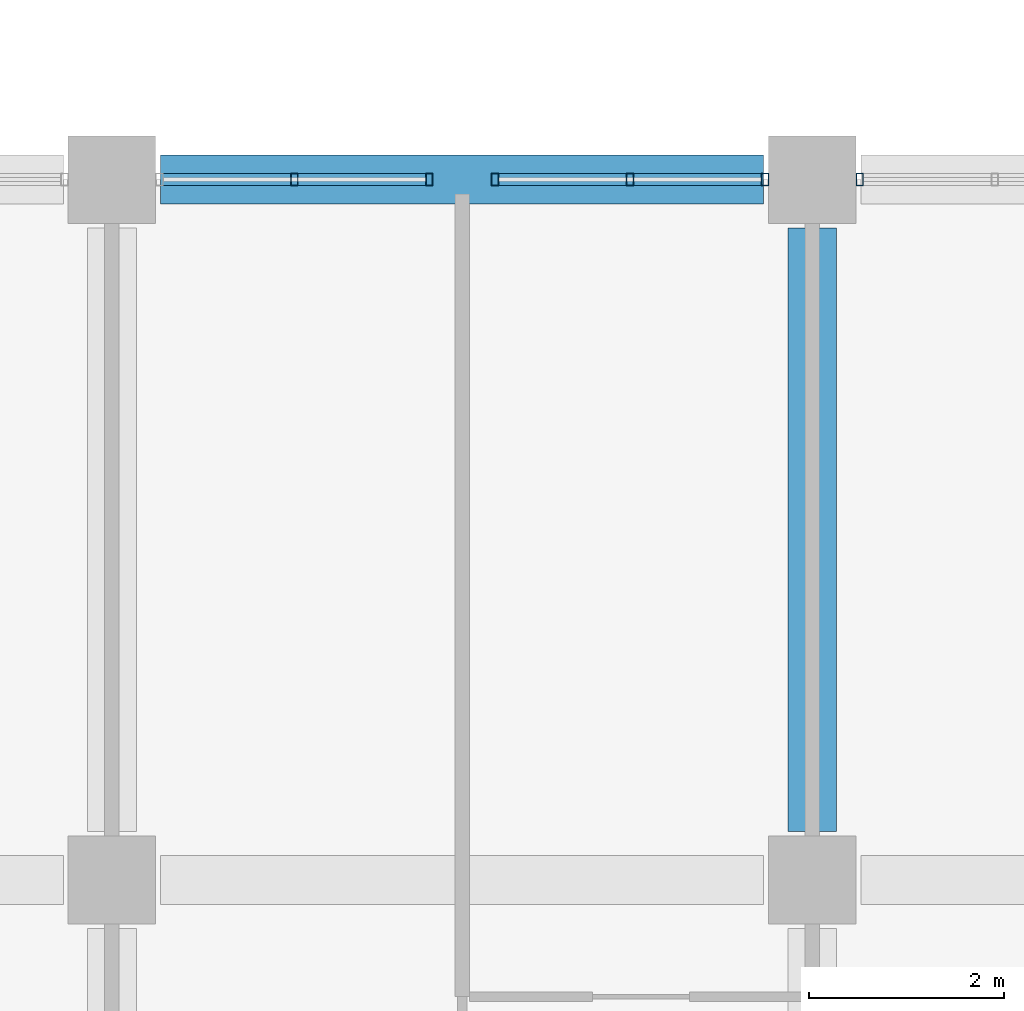
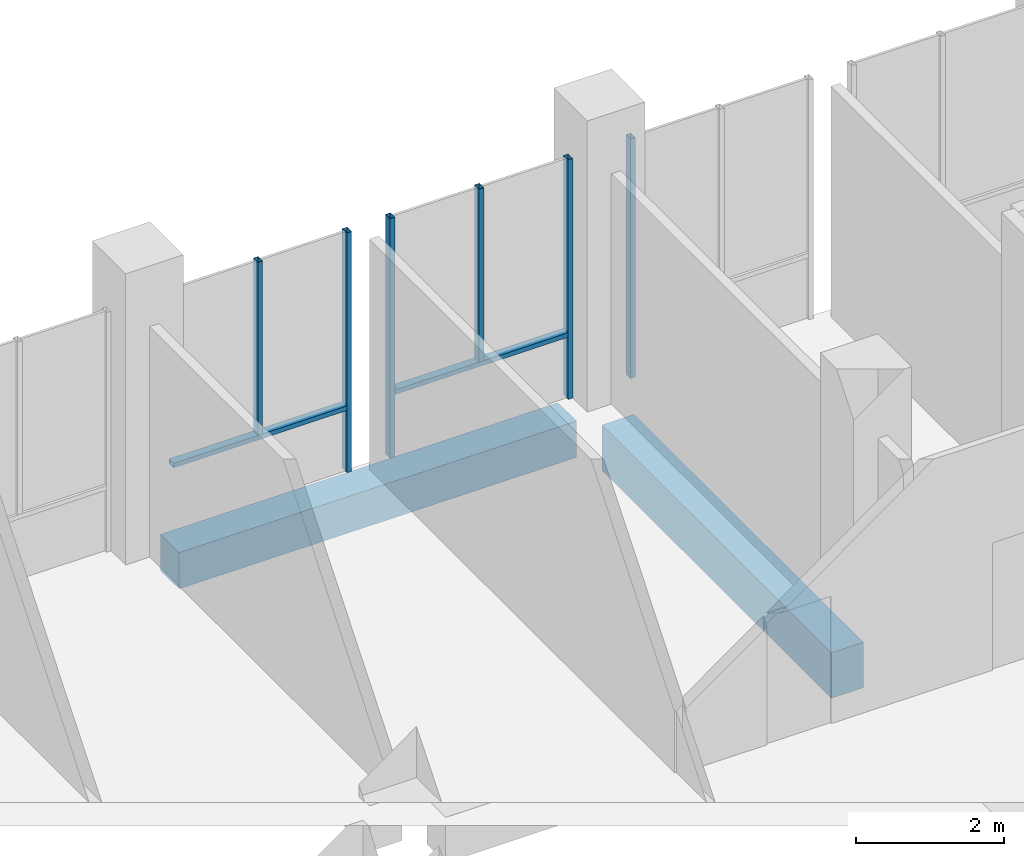
# One storey, part 3 of 40: 8 members, 2 beams, 3 elements without a shape of their own.
"""IFC4 building model written with IfcOpenShell, lengths in metres."""

from ifc_helpers import new_model, si_unit, direction, frame, origin, origin_2d, place, context, subcontext, project, spatial, rectangle, hollow_rectangle, extrude, material, material_profile, profile_set, type_object, element, aggregate, save


model = new_model("IFC4")

# Units and contexts
model_context = context("Model", 3, precision=1e-05, world=origin(), true_north=direction((0.0, 1.0)))
body_context = subcontext(model_context, "Body", "Model", "MODEL_VIEW")
ifc_project = project(units=[si_unit("LENGTHUNIT", "METRE"), si_unit("AREAUNIT", "SQUARE_METRE"), si_unit("VOLUMEUNIT", "CUBIC_METRE"), si_unit("PLANEANGLEUNIT", "RADIAN"), si_unit("MASSUNIT", "GRAM", prefix="KILO")], contexts=[model_context])

# Site, building, storey
site_placement = place(None, origin())
site = spatial("IfcSite", under=ifc_project, at=site_placement, CompositionType="ELEMENT")
building_placement = place(site_placement, origin())
building = spatial("IfcBuilding", under=site, at=building_placement, Name="Silangan Lancet Faculty of Sciences", CompositionType="ELEMENT")
storey_placement = place(building_placement, frame((0.0, 0.0, 16.800048828125)))
storey = spatial("IfcBuildingStorey", under=building, at=storey_placement, Name="L03", CompositionType="ELEMENT", Elevation=16.800048828125)

# Beams
ifc_material_1 = material(Name="Concrete C40/50", Category="concrete")
ifc_material_profile_1 = material_profile(ifc_material_1, rectangle(XDim=0.5, YDim=0.60009765625, at=origin_2d()), Name="RC 500x600")
ifc_profile_set_1 = profile_set([ifc_material_profile_1], Name="Concrete C40/50")
beam_type_1 = type_object("IfcBeamType", Name="BEAM RC 500x600", PredefinedType="BEAM", material=ifc_profile_set_1)
beam_1_placement = place(storey_placement, frame((7.699951171875, 21.60009765625, -0.550048828125), z_axis=(1.0, 0.0, 0.0), x_axis=(0.0, 1.0, 0.0)))
element("IfcBeam", 1, at=beam_1_placement, inside=storey, type_object=beam_type_1, Name="BM-L03-2D-3D", PredefinedType="BEAM", context=body_context, shape_type="SweptSolid", body=[
    extrude(rectangle(XDim=0.5, YDim=0.60009765625, at=origin_2d()), origin(), (0.0, 0.0, 1.0), 6.199951171875),
])
ifc_material_2 = material(Name="Concrete C40/50", Category="concrete")
ifc_material_profile_2 = material_profile(ifc_material_2, rectangle(XDim=0.5, YDim=0.75, at=origin_2d()), Name="RC 500x750")
ifc_profile_set_2 = profile_set([ifc_material_profile_2], Name="Concrete C40/50")
beam_type_2 = type_object("IfcBeamType", Name="BEAM RC 500x750", PredefinedType="BEAM", material=ifc_profile_set_2)
beam_2_placement = place(storey_placement, frame((14.39990234375, 14.89990234375, -0.625), z_axis=(0.0, 1.0, 0.0), x_axis=(-1.0, 0.0, 0.0)))
element("IfcBeam", 2, at=beam_2_placement, inside=storey, type_object=beam_type_2, Name="BM-L03-3C-3D", PredefinedType="BEAM", context=body_context, shape_type="SweptSolid", body=[
    extrude(rectangle(XDim=0.5, YDim=0.75, at=origin_2d()), origin(), (0.0, 0.0, 1.0), 6.2001953125),
])

# Curtain wall, member
ifc_material_3 = material(Name="Aluminium framed curtain wall with insulated glass", Category="aluminium")
curtain_wall_type = type_object("IfcCurtainWallType", Name="CW2 Atrium fire-resisting screen", PredefinedType="NOTDEFINED", material=ifc_material_3)
curtain_wall_1_placement = place(storey_placement, origin())
curtain_wall_1 = element("IfcCurtainWall", 3, at=curtain_wall_1_placement, inside=storey, type_object=curtain_wall_type, Name="CW2 Atrium south L03 bay 2", PredefinedType="NOTDEFINED")
ifc_material_4 = material(Name="Steel S355J2H", Category="steel")
ifc_material_profile_3 = material_profile(ifc_material_4, hollow_rectangle(XDim=0.074951171875, YDim=0.125, WallThickness=0.0048828125, at=origin_2d()), Name="ST BOX 75x125x5")
ifc_profile_set_3 = profile_set([ifc_material_profile_3], Name="Steel S355J2H")
member_type_1 = type_object("IfcMemberType", Name="CM2 Mullion 75x125", PredefinedType="MULLION", material=ifc_profile_set_3)
member_1_placement = place(storey_placement, frame((14.887451171875, 21.60009765625, 0.0), z_axis=(0.0, 0.0, 1.0), x_axis=(-1.0, 0.0, 0.0)))
member_1 = element("IfcMember", 4, at=member_1_placement, type_object=member_type_1, Name="CW2 Atrium south L03 bay 2 mullion 2", PredefinedType="MULLION", context=body_context, shape_type="SweptSolid", body=[
    extrude(hollow_rectangle(XDim=0.074951171875, YDim=0.125, WallThickness=0.0048828125, at=origin_2d()), origin(), (0.0, 0.0, 1.0), 3.949951171875),
])
aggregate(curtain_wall_1, [member_1])

# Curtain wall, members
curtain_wall_2_placement = place(storey_placement, origin())
curtain_wall_2 = element("IfcCurtainWall", 5, at=curtain_wall_2_placement, inside=storey, type_object=curtain_wall_type, Name="CW2 Atrium south L03 bay 3", PredefinedType="NOTDEFINED")
member_2_placement = place(storey_placement, frame((13.91259765625, 21.60009765625, 0.0), z_axis=(0.0, 0.0, 1.0), x_axis=(-1.0, 0.0, 0.0)))
member_2 = element("IfcMember", 6, at=member_2_placement, type_object=member_type_1, Name="CW2 Atrium south L03 bay 3 mullion 1", PredefinedType="MULLION", context=body_context, shape_type="SweptSolid", body=[
    extrude(hollow_rectangle(XDim=0.074951171875, YDim=0.125, WallThickness=0.0048828125, at=origin_2d()), origin(), (0.0, 0.0, 1.0), 3.949951171875),
])
member_3_placement = place(storey_placement, frame((11.137451171875, 21.60009765625, 0.0), z_axis=(0.0, 0.0, 1.0), x_axis=(-1.0, 0.0, 0.0)))
member_3 = element("IfcMember", 7, at=member_3_placement, type_object=member_type_1, Name="CW2 Atrium south L03 bay 3 mullion 2", PredefinedType="MULLION", context=body_context, shape_type="SweptSolid", body=[
    extrude(hollow_rectangle(XDim=0.074951171875, YDim=0.125, WallThickness=0.0048828125, at=origin_2d()), origin(), (0.0, 0.0, 1.0), 3.949951171875),
])
member_4_placement = place(storey_placement, frame((12.52490234375, 21.60009765625, 1.099853515625), z_axis=(0.0, 0.0, 1.0), x_axis=(-1.0, 0.0, 0.0)))
member_4 = element("IfcMember", 8, at=member_4_placement, type_object=member_type_1, Name="CW2 Atrium south L03 bay 3 mullion 3", PredefinedType="MULLION", context=body_context, shape_type="SweptSolid", body=[
    extrude(hollow_rectangle(XDim=0.074951171875, YDim=0.125, WallThickness=0.0048828125, at=origin_2d()), origin(), (0.0, 0.0, 1.0), 2.85009765625),
])

curtain_wall_3_placement = place(storey_placement, origin())
curtain_wall_3 = element("IfcCurtainWall", 9, at=curtain_wall_3_placement, inside=storey, type_object=curtain_wall_type, Name="CW2 Atrium south L03 bay 4", PredefinedType="NOTDEFINED")
member_5_placement = place(storey_placement, frame((10.46240234375, 21.60009765625, 0.0), z_axis=(0.0, 0.0, 1.0), x_axis=(-1.0, 0.0, 0.0)))
member_5 = element("IfcMember", 10, at=member_5_placement, type_object=member_type_1, Name="CW2 Atrium south L03 bay 4 mullion 1", PredefinedType="MULLION", context=body_context, shape_type="SweptSolid", body=[
    extrude(hollow_rectangle(XDim=0.074951171875, YDim=0.125, WallThickness=0.0048828125, at=origin_2d()), origin(), (0.0, 0.0, 1.0), 3.949951171875),
])
member_6_placement = place(storey_placement, frame((9.074951171875, 21.60009765625, 1.099853515625), z_axis=(0.0, 0.0, 1.0), x_axis=(-1.0, 0.0, 0.0)))
member_6 = element("IfcMember", 11, at=member_6_placement, type_object=member_type_1, Name="CW2 Atrium south L03 bay 4 mullion 3", PredefinedType="MULLION", context=body_context, shape_type="SweptSolid", body=[
    extrude(hollow_rectangle(XDim=0.074951171875, YDim=0.125, WallThickness=0.0048828125, at=origin_2d()), origin(), (0.0, 0.0, 1.0), 2.85009765625),
])

# Member
ifc_material_5 = material(Name="Steel S355J2H", Category="steel")
ifc_material_profile_4 = material_profile(ifc_material_5, hollow_rectangle(XDim=0.125, YDim=0.074951171875, WallThickness=0.0048828125, at=origin_2d()), Name="ST BOX 125x75x5")
ifc_profile_set_4 = profile_set([ifc_material_profile_4], Name="Steel S355J2H")
member_type_2 = type_object("IfcMemberType", Name="CT2 Transom 125x75", PredefinedType="USERDEFINED", material=ifc_profile_set_4)
member_7_placement = place(storey_placement, frame((13.875, 21.60009765625, 1.0625), z_axis=(-1.0, 0.0, 0.0), x_axis=(0.0, -1.0, 0.0)))
member_7 = element("IfcMember", 12, at=member_7_placement, type_object=member_type_2, Name="CW2 Atrium south L03 bay 3 transom 1", ObjectType="TRANSOM", PredefinedType="USERDEFINED", context=body_context, shape_type="SweptSolid", body=[
    extrude(hollow_rectangle(XDim=0.125, YDim=0.074951171875, WallThickness=0.0048828125, at=origin_2d()), origin(), (0.0, 0.0, 1.0), 2.699951171875),
])

aggregate(curtain_wall_2, [member_2, member_3, member_4, member_7])

member_8_placement = place(storey_placement, frame((10.425048828125, 21.60009765625, 1.0625), z_axis=(-1.0, 0.0, 0.0), x_axis=(0.0, -1.0, 0.0)))
member_8 = element("IfcMember", 13, at=member_8_placement, type_object=member_type_2, Name="CW2 Atrium south L03 bay 4 transom 1", ObjectType="TRANSOM", PredefinedType="USERDEFINED", context=body_context, shape_type="SweptSolid", body=[
    extrude(hollow_rectangle(XDim=0.125, YDim=0.074951171875, WallThickness=0.0048828125, at=origin_2d()), origin(), (0.0, 0.0, 1.0), 2.699951171875),
])

aggregate(curtain_wall_3, [member_5, member_6, member_8])

save(model, "model.ifc")
